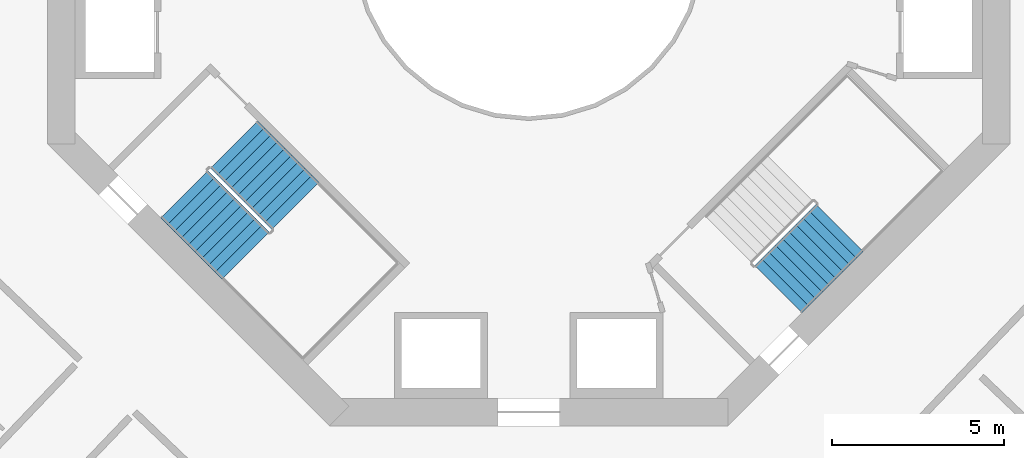
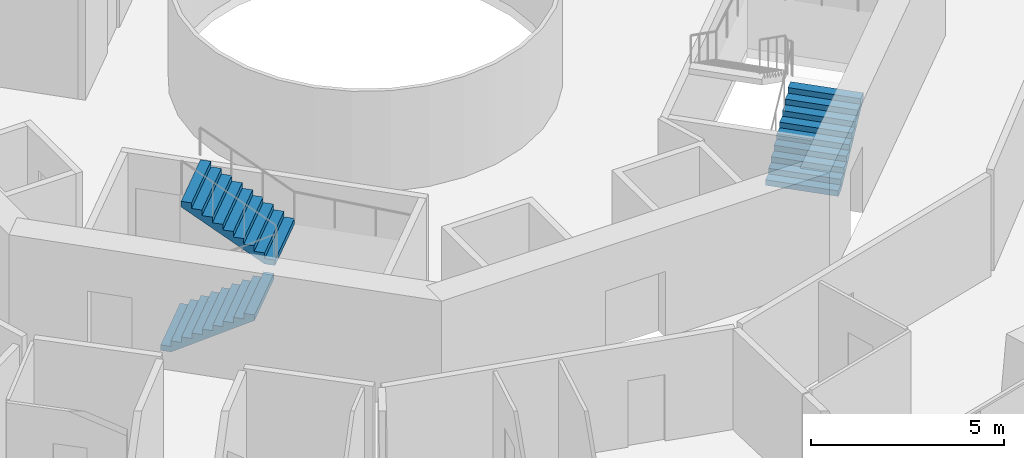
# One storey, part 23 of 25: 3 stair flights, 2 elements without a shape of their own.
"""IFC4 building model written with IfcOpenShell, lengths in metres."""

from ifc_helpers import new_model, si_unit, direction, frame, origin, place, context, subcontext, project, spatial, triangles, material, type_object, element, aggregate, save


model = new_model("IFC4")

# Units and contexts
model_context = context("Model", 3, precision=1e-05, world=origin(), true_north=direction((0.0, 1.0)))
body_context = subcontext(model_context, "Body", "Model", "MODEL_VIEW")
ifc_project = project(units=[si_unit("LENGTHUNIT", "METRE"), si_unit("AREAUNIT", "SQUARE_METRE"), si_unit("VOLUMEUNIT", "CUBIC_METRE"), si_unit("PLANEANGLEUNIT", "RADIAN"), si_unit("MASSUNIT", "GRAM", prefix="KILO")], contexts=[model_context])

# Site, building, storey
site_placement = place(None, origin())
site = spatial("IfcSite", under=ifc_project, at=site_placement, CompositionType="ELEMENT")
building_placement = place(site_placement, origin())
building = spatial("IfcBuilding", under=site, at=building_placement, Name="Verdalira Terraces Hotel", CompositionType="ELEMENT")
storey_placement = place(building_placement, frame((0.0, 0.0, 100.0)))
storey = spatial("IfcBuildingStorey", under=building, at=storey_placement, Name="L23", CompositionType="ELEMENT", Elevation=100.0)

# Stair, stair flights
ifc_material_1 = material(Name="Concrete C40", Category="concrete")
stair_type = type_object("IfcStairType", Name="Core stair 20 risers 1950 mm wide", PredefinedType="HALF_TURN_STAIR", material=ifc_material_1)
stair_1_placement = place(storey_placement, origin())
stair_1 = element("IfcStair", 1, at=stair_1_placement, inside=storey, type_object=stair_type, Name="L23 Exit stair ST2", PredefinedType="HALF_TURN_STAIR")
ifc_material_2 = material(Name="Concrete C40", Category="concrete")
stair_flight_type = type_object("IfcStairFlightType", Name="Core stair flight 20 risers 1950 mm wide", PredefinedType="STRAIGHT", material=ifc_material_2)
stair_flight_1_placement = place(storey_placement, frame((-10.023193, -7.265625, 0.0), z_axis=(0.0, 0.0, 1.0), x_axis=(0.707106781, -0.707106781, 0.0)))
stair_flight_1 = element("IfcStairFlight", 2, at=stair_flight_1_placement, type_object=stair_flight_type, Name="ST2 flight 1", NumberOfRisers=10, NumberOfTreads=9, PredefinedType="STRAIGHT", RiserHeight=0.175, TreadLength=0.28, context=body_context, shape_type="Tessellation", body=[
    triangles([(0.0, 0.974976, 0.0), (0.282715, 0.974976, 0.0), (2.52002, 0.974976, 1.398193), (0.0, -0.974976, 0.0), (0.282715, -0.974976, 0.0), (2.52002, -0.974976, 1.398193), (2.52002, 0.974976, 1.574951), (2.23999, 0.974976, 1.574951), (2.52002, -0.974976, 1.574951), (2.23999, -0.974976, 1.574951), (2.23999, 0.974976, 1.399902), (2.23999, -0.974976, 1.399902), (1.959961, 0.974976, 1.399902), (1.959961, -0.974976, 1.399902), (1.959961, 0.974976, 1.225098), (1.959961, -0.974976, 1.225098), (1.679932, 0.974976, 1.225098), (1.679932, 0.974976, 1.050049), (1.679932, -0.974976, 1.225098), (1.679932, -0.974976, 1.050049), (1.399902, 0.974976, 1.050049), (1.399902, 0.974976, 0.875), (1.399902, -0.974976, 1.050049), (1.399902, -0.974976, 0.875), (1.120117, 0.974976, 0.875), (1.120117, 0.974976, 0.699951), (1.120117, -0.974976, 0.875), (1.120117, -0.974976, 0.699951), (0.840088, 0.974976, 0.699951), (0.840088, 0.974976, 0.524902), (0.840088, -0.974976, 0.699951), (0.840088, -0.974976, 0.524902), (0.560059, 0.974976, 0.524902), (0.560059, 0.974976, 0.350098), (0.560059, -0.974976, 0.524902), (0.560059, -0.974976, 0.350098), (0.280029, 0.974976, 0.350098), (0.280029, 0.974976, 0.175049), (0.280029, -0.974976, 0.350098), (0.280029, -0.974976, 0.175049), (0.0, 0.974976, 0.175049), (0.0, -0.974976, 0.175049), (0.0, -0.91404, 0.0), (0.0, -0.91404, 0.175049), (0.0, -0.853104, 0.0), (0.0, -0.853104, 0.175049), (0.0, -0.792168, 0.0), (0.0, -0.792168, 0.175049), (0.0, -0.731232, 0.0), (0.0, -0.731232, 0.175049), (0.0, -0.670296, 0.0), (0.0, -0.670296, 0.175049), (0.0, -0.60936, 0.0), (0.0, -0.60936, 0.175049), (0.0, -0.548424, 0.0), (0.0, -0.548424, 0.175049), (0.0, -0.487488, 0.0), (0.0, -0.487488, 0.175049), (0.0, -0.426552, 0.0), (0.0, -0.426552, 0.175049), (0.0, -0.365616, 0.0), (0.0, -0.365616, 0.175049), (0.0, -0.30468, 0.0), (0.0, -0.30468, 0.175049), (0.0, -0.243744, 0.0), (0.0, -0.243744, 0.175049), (0.0, -0.182808, 0.0), (0.0, -0.182808, 0.175049), (0.0, -0.121872, 0.0), (0.0, -0.121872, 0.175049), (0.0, -0.060936, 0.0), (0.0, -0.060936, 0.175049), (0.0, 0.0, 0.0), (0.0, 0.0, 0.175049), (0.0, 0.060936, 0.0), (0.0, 0.060936, 0.175049), (0.0, 0.121872, 0.0), (0.0, 0.121872, 0.175049), (0.0, 0.182808, 0.0), (0.0, 0.182808, 0.175049), (0.0, 0.243744, 0.0), (0.0, 0.243744, 0.175049), (0.0, 0.30468, 0.0), (0.0, 0.30468, 0.175049), (0.0, 0.365616, 0.0), (0.0, 0.365616, 0.175049), (0.0, 0.426552, 0.0), (0.0, 0.426552, 0.175049), (0.0, 0.487488, 0.0), (0.0, 0.487488, 0.175049), (0.0, 0.548424, 0.0), (0.0, 0.548424, 0.175049), (0.0, 0.60936, 0.0), (0.0, 0.60936, 0.175049), (0.0, 0.670296, 0.0), (0.0, 0.670296, 0.175049), (0.0, 0.731232, 0.0), (0.0, 0.731232, 0.175049), (0.0, 0.792168, 0.0), (0.0, 0.792168, 0.175049), (0.0, 0.853104, 0.0), (0.0, 0.853104, 0.175049), (0.0, 0.91404, 0.0), (0.0, 0.91404, 0.175049), (2.52002, -0.91404, 1.574951), (2.52002, -0.853104, 1.574951), (2.52002, -0.792168, 1.574951), (2.52002, -0.731232, 1.574951), (2.52002, -0.670296, 1.574951), (2.52002, -0.60936, 1.574951), (2.52002, -0.548424, 1.574951), (2.52002, -0.487488, 1.574951), (2.52002, -0.426552, 1.574951), (2.52002, -0.365616, 1.574951), (2.52002, -0.30468, 1.574951), (2.52002, -0.243744, 1.574951), (2.52002, -0.182808, 1.574951), (2.52002, -0.121872, 1.574951), (2.52002, -0.060936, 1.574951), (2.52002, 0.0, 1.574951), (2.52002, 0.060936, 1.574951), (2.52002, 0.121872, 1.574951), (2.52002, 0.182808, 1.574951), (2.52002, 0.243744, 1.574951), (2.52002, 0.30468, 1.574951), (2.52002, 0.365616, 1.574951), (2.52002, 0.426552, 1.574951), (2.52002, 0.487488, 1.574951), (2.52002, 0.548424, 1.574951), (2.52002, 0.60936, 1.574951), (2.52002, 0.670296, 1.574951), (2.52002, 0.731232, 1.574951), (2.52002, 0.792168, 1.574951), (2.52002, 0.853104, 1.574951), (2.52002, 0.91404, 1.574951), (2.52002, -0.91404, 1.398193), (2.52002, -0.853104, 1.398193), (2.52002, -0.792168, 1.398193), (2.52002, -0.731232, 1.398193), (2.52002, -0.670296, 1.398193), (2.52002, -0.60936, 1.398193), (2.52002, -0.548424, 1.398193), (2.52002, -0.487488, 1.398193), (2.52002, -0.426552, 1.398193), (2.52002, -0.365616, 1.398193), (2.52002, -0.30468, 1.398193), (2.52002, -0.243744, 1.398193), (2.52002, -0.182808, 1.398193), (2.52002, -0.121872, 1.398193), (2.52002, -0.060936, 1.398193), (2.52002, 0.0, 1.398193), (2.52002, 0.060936, 1.398193), (2.52002, 0.121872, 1.398193), (2.52002, 0.182808, 1.398193), (2.52002, 0.243744, 1.398193), (2.52002, 0.30468, 1.398193), (2.52002, 0.365616, 1.398193), (2.52002, 0.426552, 1.398193), (2.52002, 0.487488, 1.398193), (2.52002, 0.548424, 1.398193), (2.52002, 0.60936, 1.398193), (2.52002, 0.670296, 1.398193), (2.52002, 0.731232, 1.398193), (2.52002, 0.792168, 1.398193), (2.52002, 0.853104, 1.398193), (2.52002, 0.91404, 1.398193)], [[1, 3, 2], [4, 5, 6], [3, 8, 7], [6, 9, 10], [3, 11, 8], [6, 10, 12], [3, 13, 11], [6, 12, 14], [3, 15, 13], [6, 14, 16], [15, 18, 17], [16, 19, 20], [3, 18, 15], [6, 16, 20], [18, 22, 21], [20, 23, 24], [3, 22, 18], [6, 20, 24], [22, 26, 25], [24, 27, 28], [3, 26, 22], [6, 24, 28], [26, 30, 29], [28, 31, 32], [3, 30, 26], [6, 28, 32], [1, 30, 3], [4, 6, 32], [30, 34, 33], [32, 35, 36], [34, 38, 37], [36, 39, 40], [30, 38, 34], [32, 36, 40], [1, 38, 30], [4, 32, 40], [38, 1, 41], [40, 42, 4], [4, 44, 43], [4, 42, 44], [43, 46, 45], [43, 44, 46], [45, 48, 47], [45, 46, 48], [47, 50, 49], [47, 48, 50], [49, 52, 51], [49, 50, 52], [51, 54, 53], [51, 52, 54], [53, 56, 55], [53, 54, 56], [55, 58, 57], [55, 56, 58], [57, 60, 59], [57, 58, 60], [59, 62, 61], [59, 60, 62], [61, 64, 63], [61, 62, 64], [63, 66, 65], [63, 64, 66], [65, 68, 67], [65, 66, 68], [67, 70, 69], [67, 68, 70], [69, 72, 71], [69, 70, 72], [71, 74, 73], [71, 72, 74], [73, 76, 75], [73, 74, 76], [75, 78, 77], [75, 76, 78], [77, 80, 79], [77, 78, 80], [79, 82, 81], [79, 80, 82], [81, 84, 83], [81, 82, 84], [83, 86, 85], [83, 84, 86], [85, 88, 87], [85, 86, 88], [87, 90, 89], [87, 88, 90], [89, 92, 91], [89, 90, 92], [91, 94, 93], [91, 92, 94], [93, 96, 95], [93, 94, 96], [95, 98, 97], [95, 96, 98], [97, 100, 99], [97, 98, 100], [99, 102, 101], [99, 100, 102], [101, 104, 103], [101, 102, 104], [103, 41, 1], [103, 104, 41], [42, 40, 44], [44, 40, 46], [46, 40, 48], [48, 40, 50], [50, 40, 52], [52, 40, 54], [54, 40, 56], [56, 40, 58], [58, 40, 60], [60, 40, 62], [62, 40, 64], [64, 40, 66], [66, 40, 68], [68, 40, 70], [70, 40, 72], [72, 40, 74], [74, 40, 76], [76, 40, 78], [78, 40, 80], [80, 40, 82], [82, 40, 84], [84, 40, 86], [86, 40, 88], [88, 40, 90], [90, 40, 92], [92, 40, 94], [94, 40, 96], [96, 40, 98], [98, 40, 100], [100, 40, 102], [102, 40, 104], [104, 40, 41], [41, 40, 38], [40, 37, 38], [40, 39, 37], [39, 34, 37], [39, 36, 34], [36, 33, 34], [36, 35, 33], [35, 30, 33], [35, 32, 30], [32, 29, 30], [32, 31, 29], [31, 26, 29], [31, 28, 26], [28, 25, 26], [28, 27, 25], [27, 22, 25], [27, 24, 22], [24, 21, 22], [24, 23, 21], [23, 18, 21], [23, 20, 18], [20, 17, 18], [20, 19, 17], [19, 15, 17], [19, 16, 15], [16, 13, 15], [16, 14, 13], [14, 11, 13], [14, 12, 11], [12, 8, 11], [12, 10, 8], [9, 105, 10], [105, 106, 10], [106, 107, 10], [107, 108, 10], [108, 109, 10], [109, 110, 10], [110, 111, 10], [111, 112, 10], [112, 113, 10], [113, 114, 10], [114, 115, 10], [115, 116, 10], [116, 117, 10], [117, 118, 10], [118, 119, 10], [119, 120, 10], [120, 121, 10], [121, 122, 10], [122, 123, 10], [123, 124, 10], [124, 125, 10], [125, 126, 10], [126, 127, 10], [127, 128, 10], [128, 129, 10], [129, 130, 10], [130, 131, 10], [131, 132, 10], [132, 133, 10], [133, 134, 10], [134, 135, 10], [135, 7, 10], [7, 8, 10], [9, 136, 105], [9, 6, 136], [105, 137, 106], [105, 136, 137], [106, 138, 107], [106, 137, 138], [107, 139, 108], [107, 138, 139], [108, 140, 109], [108, 139, 140], [109, 141, 110], [109, 140, 141], [110, 142, 111], [110, 141, 142], [111, 143, 112], [111, 142, 143], [112, 144, 113], [112, 143, 144], [113, 145, 114], [113, 144, 145], [114, 146, 115], [114, 145, 146], [115, 147, 116], [115, 146, 147], [116, 148, 117], [116, 147, 148], [117, 149, 118], [117, 148, 149], [118, 150, 119], [118, 149, 150], [119, 151, 120], [119, 150, 151], [120, 152, 121], [120, 151, 152], [121, 153, 122], [121, 152, 153], [122, 154, 123], [122, 153, 154], [123, 155, 124], [123, 154, 155], [124, 156, 125], [124, 155, 156], [125, 157, 126], [125, 156, 157], [126, 158, 127], [126, 157, 158], [127, 159, 128], [127, 158, 159], [128, 160, 129], [128, 159, 160], [129, 161, 130], [129, 160, 161], [130, 162, 131], [130, 161, 162], [131, 163, 132], [131, 162, 163], [132, 164, 133], [132, 163, 164], [133, 165, 134], [133, 164, 165], [134, 166, 135], [134, 165, 166], [135, 3, 7], [135, 166, 3], [6, 5, 136], [136, 5, 137], [137, 5, 138], [138, 5, 139], [139, 5, 140], [140, 5, 141], [141, 5, 142], [142, 5, 143], [143, 5, 144], [144, 5, 145], [145, 5, 146], [146, 5, 147], [147, 5, 148], [148, 5, 149], [149, 5, 150], [150, 5, 151], [151, 5, 152], [152, 5, 153], [153, 5, 154], [154, 5, 155], [155, 5, 156], [156, 5, 157], [157, 5, 158], [158, 5, 159], [159, 5, 160], [160, 5, 161], [161, 5, 162], [162, 5, 163], [163, 5, 164], [164, 5, 165], [165, 5, 166], [166, 5, 3], [3, 5, 2], [4, 43, 5], [43, 45, 5], [45, 47, 5], [47, 49, 5], [49, 51, 5], [51, 53, 5], [53, 55, 5], [55, 57, 5], [57, 59, 5], [59, 61, 5], [61, 63, 5], [63, 65, 5], [65, 67, 5], [67, 69, 5], [69, 71, 5], [71, 73, 5], [73, 75, 5], [75, 77, 5], [77, 79, 5], [79, 81, 5], [81, 83, 5], [83, 85, 5], [85, 87, 5], [87, 89, 5], [89, 91, 5], [91, 93, 5], [93, 95, 5], [95, 97, 5], [97, 99, 5], [99, 101, 5], [101, 103, 5], [103, 1, 5], [1, 2, 5]], closed=True),
])
stair_flight_2_placement = place(storey_placement, frame((-6.791748, -7.5979, 1.75), z_axis=(0.0, 0.0, 1.0), x_axis=(-0.707106781, 0.707106781, 0.0)))
stair_flight_2 = element("IfcStairFlight", 3, at=stair_flight_2_placement, type_object=stair_flight_type, Name="ST2 flight 2", NumberOfRisers=10, NumberOfTreads=9, PredefinedType="STRAIGHT", RiserHeight=0.175, TreadLength=0.28, context=body_context, shape_type="Tessellation", body=[
    triangles([(0.0, 0.974976, 0.0), (0.282715, 0.974976, 0.0), (2.52002, 0.974976, 1.398193), (0.0, -0.974976, 0.0), (0.282715, -0.974976, 0.0), (2.52002, -0.974976, 1.398193), (2.52002, 0.974976, 1.574951), (2.23999, 0.974976, 1.574951), (2.52002, -0.974976, 1.574951), (2.23999, -0.974976, 1.574951), (2.23999, 0.974976, 1.399902), (2.23999, -0.974976, 1.399902), (1.959961, 0.974976, 1.399902), (1.959961, -0.974976, 1.399902), (1.959961, 0.974976, 1.225098), (1.959961, -0.974976, 1.225098), (1.679932, 0.974976, 1.225098), (1.679932, 0.974976, 1.050049), (1.679932, -0.974976, 1.225098), (1.679932, -0.974976, 1.050049), (1.399902, 0.974976, 1.050049), (1.399902, 0.974976, 0.875), (1.399902, -0.974976, 1.050049), (1.399902, -0.974976, 0.875), (1.120117, 0.974976, 0.875), (1.120117, 0.974976, 0.699951), (1.120117, -0.974976, 0.875), (1.120117, -0.974976, 0.699951), (0.840088, 0.974976, 0.699951), (0.840088, 0.974976, 0.524902), (0.840088, -0.974976, 0.699951), (0.840088, -0.974976, 0.524902), (0.560059, 0.974976, 0.524902), (0.560059, 0.974976, 0.350098), (0.560059, -0.974976, 0.524902), (0.560059, -0.974976, 0.350098), (0.280029, 0.974976, 0.350098), (0.280029, 0.974976, 0.175049), (0.280029, -0.974976, 0.350098), (0.280029, -0.974976, 0.175049), (0.0, 0.974976, 0.175049), (0.0, -0.974976, 0.175049), (0.0, -0.91404, 0.0), (0.0, -0.91404, 0.175049), (0.0, -0.853104, 0.0), (0.0, -0.853104, 0.175049), (0.0, -0.792168, 0.0), (0.0, -0.792168, 0.175049), (0.0, -0.731232, 0.0), (0.0, -0.731232, 0.175049), (0.0, -0.670296, 0.0), (0.0, -0.670296, 0.175049), (0.0, -0.60936, 0.0), (0.0, -0.60936, 0.175049), (0.0, -0.548424, 0.0), (0.0, -0.548424, 0.175049), (0.0, -0.487488, 0.0), (0.0, -0.487488, 0.175049), (0.0, -0.426552, 0.0), (0.0, -0.426552, 0.175049), (0.0, -0.365616, 0.0), (0.0, -0.365616, 0.175049), (0.0, -0.30468, 0.0), (0.0, -0.30468, 0.175049), (0.0, -0.243744, 0.0), (0.0, -0.243744, 0.175049), (0.0, -0.182808, 0.0), (0.0, -0.182808, 0.175049), (0.0, -0.121872, 0.0), (0.0, -0.121872, 0.175049), (0.0, -0.060936, 0.0), (0.0, -0.060936, 0.175049), (0.0, 0.0, 0.0), (0.0, 0.0, 0.175049), (0.0, 0.060936, 0.0), (0.0, 0.060936, 0.175049), (0.0, 0.121872, 0.0), (0.0, 0.121872, 0.175049), (0.0, 0.182808, 0.0), (0.0, 0.182808, 0.175049), (0.0, 0.243744, 0.0), (0.0, 0.243744, 0.175049), (0.0, 0.30468, 0.0), (0.0, 0.30468, 0.175049), (0.0, 0.365616, 0.0), (0.0, 0.365616, 0.175049), (0.0, 0.426552, 0.0), (0.0, 0.426552, 0.175049), (0.0, 0.487488, 0.0), (0.0, 0.487488, 0.175049), (0.0, 0.548424, 0.0), (0.0, 0.548424, 0.175049), (0.0, 0.60936, 0.0), (0.0, 0.60936, 0.175049), (0.0, 0.670296, 0.0), (0.0, 0.670296, 0.175049), (0.0, 0.731232, 0.0), (0.0, 0.731232, 0.175049), (0.0, 0.792168, 0.0), (0.0, 0.792168, 0.175049), (0.0, 0.853104, 0.0), (0.0, 0.853104, 0.175049), (0.0, 0.91404, 0.0), (0.0, 0.91404, 0.175049), (2.52002, -0.91404, 1.574951), (2.52002, -0.853104, 1.574951), (2.52002, -0.792168, 1.574951), (2.52002, -0.731232, 1.574951), (2.52002, -0.670296, 1.574951), (2.52002, -0.60936, 1.574951), (2.52002, -0.548424, 1.574951), (2.52002, -0.487488, 1.574951), (2.52002, -0.426552, 1.574951), (2.52002, -0.365616, 1.574951), (2.52002, -0.30468, 1.574951), (2.52002, -0.243744, 1.574951), (2.52002, -0.182808, 1.574951), (2.52002, -0.121872, 1.574951), (2.52002, -0.060936, 1.574951), (2.52002, 0.0, 1.574951), (2.52002, 0.060936, 1.574951), (2.52002, 0.121872, 1.574951), (2.52002, 0.182808, 1.574951), (2.52002, 0.243744, 1.574951), (2.52002, 0.30468, 1.574951), (2.52002, 0.365616, 1.574951), (2.52002, 0.426552, 1.574951), (2.52002, 0.487488, 1.574951), (2.52002, 0.548424, 1.574951), (2.52002, 0.60936, 1.574951), (2.52002, 0.670296, 1.574951), (2.52002, 0.731232, 1.574951), (2.52002, 0.792168, 1.574951), (2.52002, 0.853104, 1.574951), (2.52002, 0.91404, 1.574951), (2.52002, -0.91404, 1.398193), (2.52002, -0.853104, 1.398193), (2.52002, -0.792168, 1.398193), (2.52002, -0.731232, 1.398193), (2.52002, -0.670296, 1.398193), (2.52002, -0.60936, 1.398193), (2.52002, -0.548424, 1.398193), (2.52002, -0.487488, 1.398193), (2.52002, -0.426552, 1.398193), (2.52002, -0.365616, 1.398193), (2.52002, -0.30468, 1.398193), (2.52002, -0.243744, 1.398193), (2.52002, -0.182808, 1.398193), (2.52002, -0.121872, 1.398193), (2.52002, -0.060936, 1.398193), (2.52002, 0.0, 1.398193), (2.52002, 0.060936, 1.398193), (2.52002, 0.121872, 1.398193), (2.52002, 0.182808, 1.398193), (2.52002, 0.243744, 1.398193), (2.52002, 0.30468, 1.398193), (2.52002, 0.365616, 1.398193), (2.52002, 0.426552, 1.398193), (2.52002, 0.487488, 1.398193), (2.52002, 0.548424, 1.398193), (2.52002, 0.60936, 1.398193), (2.52002, 0.670296, 1.398193), (2.52002, 0.731232, 1.398193), (2.52002, 0.792168, 1.398193), (2.52002, 0.853104, 1.398193), (2.52002, 0.91404, 1.398193)], [[1, 3, 2], [4, 5, 6], [3, 8, 7], [6, 9, 10], [3, 11, 8], [6, 10, 12], [3, 13, 11], [6, 12, 14], [3, 15, 13], [6, 14, 16], [15, 18, 17], [16, 19, 20], [3, 18, 15], [6, 16, 20], [18, 22, 21], [20, 23, 24], [3, 22, 18], [6, 20, 24], [22, 26, 25], [24, 27, 28], [3, 26, 22], [6, 24, 28], [26, 30, 29], [28, 31, 32], [3, 30, 26], [6, 28, 32], [1, 30, 3], [4, 6, 32], [30, 34, 33], [32, 35, 36], [34, 38, 37], [36, 39, 40], [30, 38, 34], [32, 36, 40], [1, 38, 30], [4, 32, 40], [38, 1, 41], [40, 42, 4], [4, 44, 43], [4, 42, 44], [43, 46, 45], [43, 44, 46], [45, 48, 47], [45, 46, 48], [47, 50, 49], [47, 48, 50], [49, 52, 51], [49, 50, 52], [51, 54, 53], [51, 52, 54], [53, 56, 55], [53, 54, 56], [55, 58, 57], [55, 56, 58], [57, 60, 59], [57, 58, 60], [59, 62, 61], [59, 60, 62], [61, 64, 63], [61, 62, 64], [63, 66, 65], [63, 64, 66], [65, 68, 67], [65, 66, 68], [67, 70, 69], [67, 68, 70], [69, 72, 71], [69, 70, 72], [71, 74, 73], [71, 72, 74], [73, 76, 75], [73, 74, 76], [75, 78, 77], [75, 76, 78], [77, 80, 79], [77, 78, 80], [79, 82, 81], [79, 80, 82], [81, 84, 83], [81, 82, 84], [83, 86, 85], [83, 84, 86], [85, 88, 87], [85, 86, 88], [87, 90, 89], [87, 88, 90], [89, 92, 91], [89, 90, 92], [91, 94, 93], [91, 92, 94], [93, 96, 95], [93, 94, 96], [95, 98, 97], [95, 96, 98], [97, 100, 99], [97, 98, 100], [99, 102, 101], [99, 100, 102], [101, 104, 103], [101, 102, 104], [103, 41, 1], [103, 104, 41], [42, 40, 44], [44, 40, 46], [46, 40, 48], [48, 40, 50], [50, 40, 52], [52, 40, 54], [54, 40, 56], [56, 40, 58], [58, 40, 60], [60, 40, 62], [62, 40, 64], [64, 40, 66], [66, 40, 68], [68, 40, 70], [70, 40, 72], [72, 40, 74], [74, 40, 76], [76, 40, 78], [78, 40, 80], [80, 40, 82], [82, 40, 84], [84, 40, 86], [86, 40, 88], [88, 40, 90], [90, 40, 92], [92, 40, 94], [94, 40, 96], [96, 40, 98], [98, 40, 100], [100, 40, 102], [102, 40, 104], [104, 40, 41], [41, 40, 38], [40, 37, 38], [40, 39, 37], [39, 34, 37], [39, 36, 34], [36, 33, 34], [36, 35, 33], [35, 30, 33], [35, 32, 30], [32, 29, 30], [32, 31, 29], [31, 26, 29], [31, 28, 26], [28, 25, 26], [28, 27, 25], [27, 22, 25], [27, 24, 22], [24, 21, 22], [24, 23, 21], [23, 18, 21], [23, 20, 18], [20, 17, 18], [20, 19, 17], [19, 15, 17], [19, 16, 15], [16, 13, 15], [16, 14, 13], [14, 11, 13], [14, 12, 11], [12, 8, 11], [12, 10, 8], [9, 105, 10], [105, 106, 10], [106, 107, 10], [107, 108, 10], [108, 109, 10], [109, 110, 10], [110, 111, 10], [111, 112, 10], [112, 113, 10], [113, 114, 10], [114, 115, 10], [115, 116, 10], [116, 117, 10], [117, 118, 10], [118, 119, 10], [119, 120, 10], [120, 121, 10], [121, 122, 10], [122, 123, 10], [123, 124, 10], [124, 125, 10], [125, 126, 10], [126, 127, 10], [127, 128, 10], [128, 129, 10], [129, 130, 10], [130, 131, 10], [131, 132, 10], [132, 133, 10], [133, 134, 10], [134, 135, 10], [135, 7, 10], [7, 8, 10], [9, 136, 105], [9, 6, 136], [105, 137, 106], [105, 136, 137], [106, 138, 107], [106, 137, 138], [107, 139, 108], [107, 138, 139], [108, 140, 109], [108, 139, 140], [109, 141, 110], [109, 140, 141], [110, 142, 111], [110, 141, 142], [111, 143, 112], [111, 142, 143], [112, 144, 113], [112, 143, 144], [113, 145, 114], [113, 144, 145], [114, 146, 115], [114, 145, 146], [115, 147, 116], [115, 146, 147], [116, 148, 117], [116, 147, 148], [117, 149, 118], [117, 148, 149], [118, 150, 119], [118, 149, 150], [119, 151, 120], [119, 150, 151], [120, 152, 121], [120, 151, 152], [121, 153, 122], [121, 152, 153], [122, 154, 123], [122, 153, 154], [123, 155, 124], [123, 154, 155], [124, 156, 125], [124, 155, 156], [125, 157, 126], [125, 156, 157], [126, 158, 127], [126, 157, 158], [127, 159, 128], [127, 158, 159], [128, 160, 129], [128, 159, 160], [129, 161, 130], [129, 160, 161], [130, 162, 131], [130, 161, 162], [131, 163, 132], [131, 162, 163], [132, 164, 133], [132, 163, 164], [133, 165, 134], [133, 164, 165], [134, 166, 135], [134, 165, 166], [135, 3, 7], [135, 166, 3], [6, 5, 136], [136, 5, 137], [137, 5, 138], [138, 5, 139], [139, 5, 140], [140, 5, 141], [141, 5, 142], [142, 5, 143], [143, 5, 144], [144, 5, 145], [145, 5, 146], [146, 5, 147], [147, 5, 148], [148, 5, 149], [149, 5, 150], [150, 5, 151], [151, 5, 152], [152, 5, 153], [153, 5, 154], [154, 5, 155], [155, 5, 156], [156, 5, 157], [157, 5, 158], [158, 5, 159], [159, 5, 160], [160, 5, 161], [161, 5, 162], [162, 5, 163], [163, 5, 164], [164, 5, 165], [165, 5, 166], [166, 5, 3], [3, 5, 2], [4, 43, 5], [43, 45, 5], [45, 47, 5], [47, 49, 5], [49, 51, 5], [51, 53, 5], [53, 55, 5], [55, 57, 5], [57, 59, 5], [59, 61, 5], [61, 63, 5], [63, 65, 5], [65, 67, 5], [67, 69, 5], [69, 71, 5], [71, 73, 5], [73, 75, 5], [75, 77, 5], [77, 79, 5], [79, 81, 5], [81, 83, 5], [83, 85, 5], [85, 87, 5], [87, 89, 5], [89, 91, 5], [91, 93, 5], [93, 95, 5], [95, 97, 5], [97, 99, 5], [99, 101, 5], [101, 103, 5], [103, 1, 5], [1, 2, 5]], closed=True),
])
aggregate(stair_1, [stair_flight_1, stair_flight_2])

# Stair, stair flight
stair_2_placement = place(storey_placement, origin())
stair_2 = element("IfcStair", 4, at=stair_2_placement, inside=storey, type_object=stair_type, Name="L23 Exit stair ST3", PredefinedType="HALF_TURN_STAIR")
stair_flight_3_placement = place(storey_placement, frame((7.265625, -10.023193, 0.0), z_axis=(0.0, 0.0, 1.0), x_axis=(0.707106781, 0.707106781, 0.0)))
stair_flight_3 = element("IfcStairFlight", 5, at=stair_flight_3_placement, type_object=stair_flight_type, Name="ST3 flight 1", NumberOfRisers=10, NumberOfTreads=9, PredefinedType="STRAIGHT", RiserHeight=0.175, TreadLength=0.28, context=body_context, shape_type="Tessellation", body=[
    triangles([(0.0, 0.974976, 0.0), (0.282715, 0.974976, 0.0), (2.52002, 0.974976, 1.398193), (0.0, -0.974976, 0.0), (0.282715, -0.974976, 0.0), (2.52002, -0.974976, 1.398193), (2.52002, 0.974976, 1.574951), (2.23999, 0.974976, 1.574951), (2.52002, -0.974976, 1.574951), (2.23999, -0.974976, 1.574951), (2.23999, 0.974976, 1.399902), (2.23999, -0.974976, 1.399902), (1.959961, 0.974976, 1.399902), (1.959961, -0.974976, 1.399902), (1.959961, 0.974976, 1.225098), (1.959961, -0.974976, 1.225098), (1.679932, 0.974976, 1.225098), (1.679932, 0.974976, 1.050049), (1.679932, -0.974976, 1.225098), (1.679932, -0.974976, 1.050049), (1.399902, 0.974976, 1.050049), (1.399902, 0.974976, 0.875), (1.399902, -0.974976, 1.050049), (1.399902, -0.974976, 0.875), (1.120117, 0.974976, 0.875), (1.120117, 0.974976, 0.699951), (1.120117, -0.974976, 0.875), (1.120117, -0.974976, 0.699951), (0.840088, 0.974976, 0.699951), (0.840088, 0.974976, 0.524902), (0.840088, -0.974976, 0.699951), (0.840088, -0.974976, 0.524902), (0.560059, 0.974976, 0.524902), (0.560059, 0.974976, 0.350098), (0.560059, -0.974976, 0.524902), (0.560059, -0.974976, 0.350098), (0.280029, 0.974976, 0.350098), (0.280029, 0.974976, 0.175049), (0.280029, -0.974976, 0.350098), (0.280029, -0.974976, 0.175049), (0.0, 0.974976, 0.175049), (0.0, -0.974976, 0.175049), (0.0, -0.91404, 0.0), (0.0, -0.91404, 0.175049), (0.0, -0.853104, 0.0), (0.0, -0.853104, 0.175049), (0.0, -0.792168, 0.0), (0.0, -0.792168, 0.175049), (0.0, -0.731232, 0.0), (0.0, -0.731232, 0.175049), (0.0, -0.670296, 0.0), (0.0, -0.670296, 0.175049), (0.0, -0.60936, 0.0), (0.0, -0.60936, 0.175049), (0.0, -0.548424, 0.0), (0.0, -0.548424, 0.175049), (0.0, -0.487488, 0.0), (0.0, -0.487488, 0.175049), (0.0, -0.426552, 0.0), (0.0, -0.426552, 0.175049), (0.0, -0.365616, 0.0), (0.0, -0.365616, 0.175049), (0.0, -0.30468, 0.0), (0.0, -0.30468, 0.175049), (0.0, -0.243744, 0.0), (0.0, -0.243744, 0.175049), (0.0, -0.182808, 0.0), (0.0, -0.182808, 0.175049), (0.0, -0.121872, 0.0), (0.0, -0.121872, 0.175049), (0.0, -0.060936, 0.0), (0.0, -0.060936, 0.175049), (0.0, 0.0, 0.0), (0.0, 0.0, 0.175049), (0.0, 0.060936, 0.0), (0.0, 0.060936, 0.175049), (0.0, 0.121872, 0.0), (0.0, 0.121872, 0.175049), (0.0, 0.182808, 0.0), (0.0, 0.182808, 0.175049), (0.0, 0.243744, 0.0), (0.0, 0.243744, 0.175049), (0.0, 0.30468, 0.0), (0.0, 0.30468, 0.175049), (0.0, 0.365616, 0.0), (0.0, 0.365616, 0.175049), (0.0, 0.426552, 0.0), (0.0, 0.426552, 0.175049), (0.0, 0.487488, 0.0), (0.0, 0.487488, 0.175049), (0.0, 0.548424, 0.0), (0.0, 0.548424, 0.175049), (0.0, 0.60936, 0.0), (0.0, 0.60936, 0.175049), (0.0, 0.670296, 0.0), (0.0, 0.670296, 0.175049), (0.0, 0.731232, 0.0), (0.0, 0.731232, 0.175049), (0.0, 0.792168, 0.0), (0.0, 0.792168, 0.175049), (0.0, 0.853104, 0.0), (0.0, 0.853104, 0.175049), (0.0, 0.91404, 0.0), (0.0, 0.91404, 0.175049), (2.52002, -0.91404, 1.574951), (2.52002, -0.853104, 1.574951), (2.52002, -0.792168, 1.574951), (2.52002, -0.731232, 1.574951), (2.52002, -0.670296, 1.574951), (2.52002, -0.60936, 1.574951), (2.52002, -0.548424, 1.574951), (2.52002, -0.487488, 1.574951), (2.52002, -0.426552, 1.574951), (2.52002, -0.365616, 1.574951), (2.52002, -0.30468, 1.574951), (2.52002, -0.243744, 1.574951), (2.52002, -0.182808, 1.574951), (2.52002, -0.121872, 1.574951), (2.52002, -0.060936, 1.574951), (2.52002, 0.0, 1.574951), (2.52002, 0.060936, 1.574951), (2.52002, 0.121872, 1.574951), (2.52002, 0.182808, 1.574951), (2.52002, 0.243744, 1.574951), (2.52002, 0.30468, 1.574951), (2.52002, 0.365616, 1.574951), (2.52002, 0.426552, 1.574951), (2.52002, 0.487488, 1.574951), (2.52002, 0.548424, 1.574951), (2.52002, 0.60936, 1.574951), (2.52002, 0.670296, 1.574951), (2.52002, 0.731232, 1.574951), (2.52002, 0.792168, 1.574951), (2.52002, 0.853104, 1.574951), (2.52002, 0.91404, 1.574951), (2.52002, -0.91404, 1.398193), (2.52002, -0.853104, 1.398193), (2.52002, -0.792168, 1.398193), (2.52002, -0.731232, 1.398193), (2.52002, -0.670296, 1.398193), (2.52002, -0.60936, 1.398193), (2.52002, -0.548424, 1.398193), (2.52002, -0.487488, 1.398193), (2.52002, -0.426552, 1.398193), (2.52002, -0.365616, 1.398193), (2.52002, -0.30468, 1.398193), (2.52002, -0.243744, 1.398193), (2.52002, -0.182808, 1.398193), (2.52002, -0.121872, 1.398193), (2.52002, -0.060936, 1.398193), (2.52002, 0.0, 1.398193), (2.52002, 0.060936, 1.398193), (2.52002, 0.121872, 1.398193), (2.52002, 0.182808, 1.398193), (2.52002, 0.243744, 1.398193), (2.52002, 0.30468, 1.398193), (2.52002, 0.365616, 1.398193), (2.52002, 0.426552, 1.398193), (2.52002, 0.487488, 1.398193), (2.52002, 0.548424, 1.398193), (2.52002, 0.60936, 1.398193), (2.52002, 0.670296, 1.398193), (2.52002, 0.731232, 1.398193), (2.52002, 0.792168, 1.398193), (2.52002, 0.853104, 1.398193), (2.52002, 0.91404, 1.398193)], [[1, 3, 2], [4, 5, 6], [3, 8, 7], [6, 9, 10], [3, 11, 8], [6, 10, 12], [3, 13, 11], [6, 12, 14], [3, 15, 13], [6, 14, 16], [15, 18, 17], [16, 19, 20], [3, 18, 15], [6, 16, 20], [18, 22, 21], [20, 23, 24], [3, 22, 18], [6, 20, 24], [22, 26, 25], [24, 27, 28], [3, 26, 22], [6, 24, 28], [26, 30, 29], [28, 31, 32], [3, 30, 26], [6, 28, 32], [1, 30, 3], [4, 6, 32], [30, 34, 33], [32, 35, 36], [34, 38, 37], [36, 39, 40], [30, 38, 34], [32, 36, 40], [1, 38, 30], [4, 32, 40], [38, 1, 41], [40, 42, 4], [4, 44, 43], [4, 42, 44], [43, 46, 45], [43, 44, 46], [45, 48, 47], [45, 46, 48], [47, 50, 49], [47, 48, 50], [49, 52, 51], [49, 50, 52], [51, 54, 53], [51, 52, 54], [53, 56, 55], [53, 54, 56], [55, 58, 57], [55, 56, 58], [57, 60, 59], [57, 58, 60], [59, 62, 61], [59, 60, 62], [61, 64, 63], [61, 62, 64], [63, 66, 65], [63, 64, 66], [65, 68, 67], [65, 66, 68], [67, 70, 69], [67, 68, 70], [69, 72, 71], [69, 70, 72], [71, 74, 73], [71, 72, 74], [73, 76, 75], [73, 74, 76], [75, 78, 77], [75, 76, 78], [77, 80, 79], [77, 78, 80], [79, 82, 81], [79, 80, 82], [81, 84, 83], [81, 82, 84], [83, 86, 85], [83, 84, 86], [85, 88, 87], [85, 86, 88], [87, 90, 89], [87, 88, 90], [89, 92, 91], [89, 90, 92], [91, 94, 93], [91, 92, 94], [93, 96, 95], [93, 94, 96], [95, 98, 97], [95, 96, 98], [97, 100, 99], [97, 98, 100], [99, 102, 101], [99, 100, 102], [101, 104, 103], [101, 102, 104], [103, 41, 1], [103, 104, 41], [42, 40, 44], [44, 40, 46], [46, 40, 48], [48, 40, 50], [50, 40, 52], [52, 40, 54], [54, 40, 56], [56, 40, 58], [58, 40, 60], [60, 40, 62], [62, 40, 64], [64, 40, 66], [66, 40, 68], [68, 40, 70], [70, 40, 72], [72, 40, 74], [74, 40, 76], [76, 40, 78], [78, 40, 80], [80, 40, 82], [82, 40, 84], [84, 40, 86], [86, 40, 88], [88, 40, 90], [90, 40, 92], [92, 40, 94], [94, 40, 96], [96, 40, 98], [98, 40, 100], [100, 40, 102], [102, 40, 104], [104, 40, 41], [41, 40, 38], [40, 37, 38], [40, 39, 37], [39, 34, 37], [39, 36, 34], [36, 33, 34], [36, 35, 33], [35, 30, 33], [35, 32, 30], [32, 29, 30], [32, 31, 29], [31, 26, 29], [31, 28, 26], [28, 25, 26], [28, 27, 25], [27, 22, 25], [27, 24, 22], [24, 21, 22], [24, 23, 21], [23, 18, 21], [23, 20, 18], [20, 17, 18], [20, 19, 17], [19, 15, 17], [19, 16, 15], [16, 13, 15], [16, 14, 13], [14, 11, 13], [14, 12, 11], [12, 8, 11], [12, 10, 8], [9, 105, 10], [105, 106, 10], [106, 107, 10], [107, 108, 10], [108, 109, 10], [109, 110, 10], [110, 111, 10], [111, 112, 10], [112, 113, 10], [113, 114, 10], [114, 115, 10], [115, 116, 10], [116, 117, 10], [117, 118, 10], [118, 119, 10], [119, 120, 10], [120, 121, 10], [121, 122, 10], [122, 123, 10], [123, 124, 10], [124, 125, 10], [125, 126, 10], [126, 127, 10], [127, 128, 10], [128, 129, 10], [129, 130, 10], [130, 131, 10], [131, 132, 10], [132, 133, 10], [133, 134, 10], [134, 135, 10], [135, 7, 10], [7, 8, 10], [9, 136, 105], [9, 6, 136], [105, 137, 106], [105, 136, 137], [106, 138, 107], [106, 137, 138], [107, 139, 108], [107, 138, 139], [108, 140, 109], [108, 139, 140], [109, 141, 110], [109, 140, 141], [110, 142, 111], [110, 141, 142], [111, 143, 112], [111, 142, 143], [112, 144, 113], [112, 143, 144], [113, 145, 114], [113, 144, 145], [114, 146, 115], [114, 145, 146], [115, 147, 116], [115, 146, 147], [116, 148, 117], [116, 147, 148], [117, 149, 118], [117, 148, 149], [118, 150, 119], [118, 149, 150], [119, 151, 120], [119, 150, 151], [120, 152, 121], [120, 151, 152], [121, 153, 122], [121, 152, 153], [122, 154, 123], [122, 153, 154], [123, 155, 124], [123, 154, 155], [124, 156, 125], [124, 155, 156], [125, 157, 126], [125, 156, 157], [126, 158, 127], [126, 157, 158], [127, 159, 128], [127, 158, 159], [128, 160, 129], [128, 159, 160], [129, 161, 130], [129, 160, 161], [130, 162, 131], [130, 161, 162], [131, 163, 132], [131, 162, 163], [132, 164, 133], [132, 163, 164], [133, 165, 134], [133, 164, 165], [134, 166, 135], [134, 165, 166], [135, 3, 7], [135, 166, 3], [6, 5, 136], [136, 5, 137], [137, 5, 138], [138, 5, 139], [139, 5, 140], [140, 5, 141], [141, 5, 142], [142, 5, 143], [143, 5, 144], [144, 5, 145], [145, 5, 146], [146, 5, 147], [147, 5, 148], [148, 5, 149], [149, 5, 150], [150, 5, 151], [151, 5, 152], [152, 5, 153], [153, 5, 154], [154, 5, 155], [155, 5, 156], [156, 5, 157], [157, 5, 158], [158, 5, 159], [159, 5, 160], [160, 5, 161], [161, 5, 162], [162, 5, 163], [163, 5, 164], [164, 5, 165], [165, 5, 166], [166, 5, 3], [3, 5, 2], [4, 43, 5], [43, 45, 5], [45, 47, 5], [47, 49, 5], [49, 51, 5], [51, 53, 5], [53, 55, 5], [55, 57, 5], [57, 59, 5], [59, 61, 5], [61, 63, 5], [63, 65, 5], [65, 67, 5], [67, 69, 5], [69, 71, 5], [71, 73, 5], [73, 75, 5], [75, 77, 5], [77, 79, 5], [79, 81, 5], [81, 83, 5], [83, 85, 5], [85, 87, 5], [87, 89, 5], [89, 91, 5], [91, 93, 5], [93, 95, 5], [95, 97, 5], [97, 99, 5], [99, 101, 5], [101, 103, 5], [103, 1, 5], [1, 2, 5]], closed=True),
])
aggregate(stair_2, [stair_flight_3])

save(model, "model.ifc")
